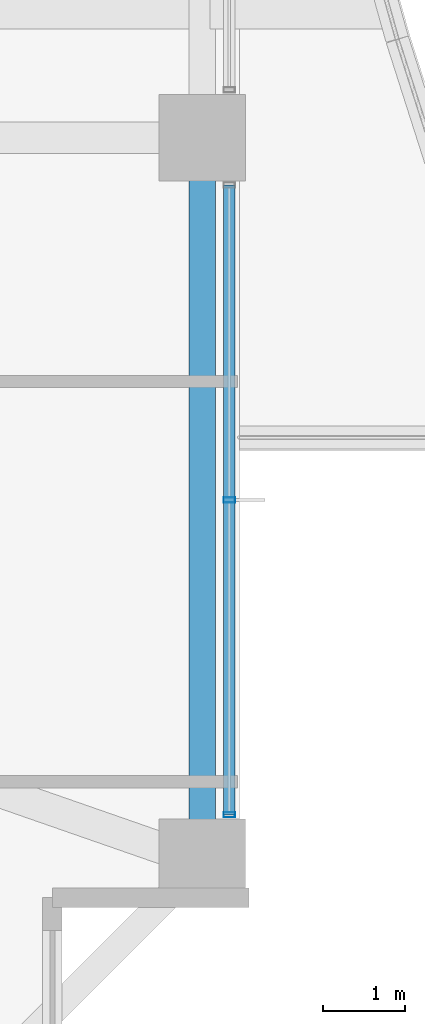
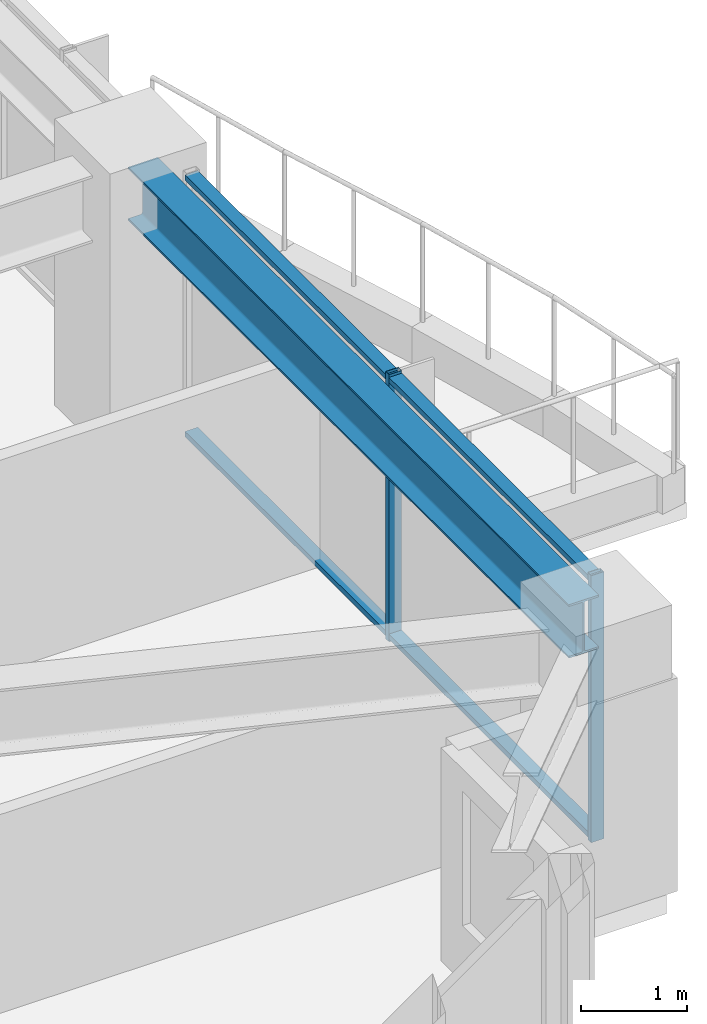
# One storey, part 12 of 38: 4 members, 1 beam, 1 element without a shape of its own.
"""IFC4 building model written with IfcOpenShell, lengths in metres."""

import ifcopenshell
import ifcopenshell.guid

model = None  # the IFC model being written
_history = None  # IfcOwnerHistory: only IFC2X3 demands one
_inside = {}  # id of a spatial element -> (the spatial element, [elements in it])
_under = {}  # id of a project, library or spatial element -> (it, [spatial elements below it])
_declared = {}  # id of a project -> (the project, [libraries it declares])
_typed = {}  # id of a type object -> (the type object, [elements of that type])
_made_of = {}  # id of a material, layer set ... -> (it, [elements and type objects made of it])


def new_model(schema):
    """Start an empty IFC model of exactly this schema.

    Asked for "IFC4X3", IfcOpenShell would pick the latest addendum, in which some entities
    have other attributes; the version numbers below select the first issue.
    IFC2X3 requires an IfcOwnerHistory on every rooted entity: one is made here for all.
    """
    global model, _history
    if schema == "IFC4X3":
        model = ifcopenshell.file(schema_version=(4, 3, 0, 0))
    else:
        model = ifcopenshell.file(schema=schema)
    _inside.clear()
    _under.clear()
    _declared.clear()
    _typed.clear()
    _made_of.clear()
    _history = None
    if model.schema == "IFC2X3":
        org = make("IfcOrganization", Name="unknown")
        user = make(
            "IfcPersonAndOrganization",
            ThePerson=make("IfcPerson", FamilyName="unknown"),
            TheOrganization=org,
        )
        app = make(
            "IfcApplication",
            ApplicationDeveloper=org,
            Version="unknown",
            ApplicationFullName="unknown",
            ApplicationIdentifier="unknown",
        )
        _history = make(
            "IfcOwnerHistory",
            OwningUser=user,
            OwningApplication=app,
            ChangeAction="ADDED",
            CreationDate=0,
        )
    return model


def make(cls, **values):
    """One entity of the class cls with the attributes given. An attribute that is None is left unset."""
    return model.create_entity(
        cls, **{name: value for name, value in values.items() if value is not None}
    )


def rooted(cls, **values):
    """An entity with a GlobalId (a new one), such as an element, a storey or a relation."""
    return make(cls, GlobalId=ifcopenshell.guid.new(), OwnerHistory=_history, **values)


def si_unit(unit_type, name, prefix=None):
    """IfcSIUnit, for example si_unit("LENGTHUNIT", "METRE", prefix="MILLI")."""
    return make("IfcSIUnit", UnitType=unit_type, Prefix=prefix, Name=name)


def assignment(units):
    """IfcUnitAssignment: the units of a project."""
    return None if units is None else make("IfcUnitAssignment", Units=units)


def point(xyz):
    """IfcCartesianPoint."""
    return None if xyz is None else make("IfcCartesianPoint", Coordinates=xyz)


def direction(xyz):
    """IfcDirection."""
    return None if xyz is None else make("IfcDirection", DirectionRatios=xyz)


def frame(location, z_axis=None, x_axis=None):
    """IfcAxis2Placement3D, a coordinate frame: its origin and axes. An axis left out is left unset."""
    return make(
        "IfcAxis2Placement3D",
        Location=point(location),
        Axis=direction(z_axis),
        RefDirection=direction(x_axis),
    )


def frame_2d(location, x_axis=None):
    """IfcAxis2Placement2D, a coordinate frame in the plane: its origin and x axis."""
    return make(
        "IfcAxis2Placement2D", Location=point(location), RefDirection=direction(x_axis)
    )


def origin():
    """The frame at (0, 0, 0) with its axes left unset."""
    return frame((0.0, 0.0, 0.0))


def origin_2d():
    """The frame at (0, 0) in the plane with its x axis left unset."""
    return frame_2d((0.0, 0.0))


def place(relative_to, where):
    """IfcLocalPlacement: puts the frame where relative to a parent placement (None: the world)."""
    return make(
        "IfcLocalPlacement", PlacementRelTo=relative_to, RelativePlacement=where
    )


def context(
    kind, dimensions, precision=None, world=None, true_north=None, identifier=None
):
    """IfcGeometricRepresentationContext, for example the 3D "Model" context."""
    return make(
        "IfcGeometricRepresentationContext",
        ContextIdentifier=identifier,
        ContextType=kind,
        CoordinateSpaceDimension=dimensions,
        Precision=precision,
        WorldCoordinateSystem=world,
        TrueNorth=true_north,
    )


def subcontext(parent, identifier, kind, view, scale=None):
    """IfcGeometricRepresentationSubContext, for example "Body" below "Model"."""
    return make(
        "IfcGeometricRepresentationSubContext",
        ContextIdentifier=identifier,
        ContextType=kind,
        ParentContext=parent,
        TargetScale=scale,
        TargetView=view,
    )


def project(units=None, contexts=None):
    """IfcProject with its units and contexts."""
    return rooted(
        "IfcProject",
        Name="project",
        RepresentationContexts=contexts,
        UnitsInContext=assignment(units),
    )


def spatial(cls, under=None, at=None, **own):
    """A site, building, storey or space (cls), placed at a placement, below another one or the project."""
    s = rooted(cls, ObjectPlacement=at, **own)
    if under is not None:
        _under.setdefault(under.id(), (under, []))[1].append(s)
    return s


def profile(cls, at=None, kind="AREA", **sizes):
    """A parametric profile (cls). Its sizes go by their IFC names, for example OverallWidth=200.0."""
    return make(cls, ProfileType=kind, Position=at, **sizes)


def hollow_rectangle(**sizes):
    """IfcRectangleHollowProfileDef."""
    return profile("IfcRectangleHollowProfileDef", **sizes)


def i_section(**sizes):
    """IfcIShapeProfileDef."""
    return profile("IfcIShapeProfileDef", **sizes)


def extrude(swept, where, along, depth):
    """IfcExtrudedAreaSolid: the profile swept, set in the frame where, extruded along a direction by depth."""
    return make(
        "IfcExtrudedAreaSolid",
        SweptArea=swept,
        Position=where,
        ExtrudedDirection=direction(along),
        Depth=depth,
    )


def shape(context_of_items, identifier, shape_type, items):
    """IfcShapeRepresentation: the items that make up one representation, for example the "Body"."""
    return make(
        "IfcShapeRepresentation",
        ContextOfItems=context_of_items,
        RepresentationIdentifier=identifier,
        RepresentationType=shape_type,
        Items=items,
    )


def material(Name=None, Category=None):
    """IfcMaterial."""
    return make("IfcMaterial", Name=Name, Category=Category)


def material_profile(
    of_material, cross_section, Name=None, Category=None, Priority=None
):
    """IfcMaterialProfile: a cross section and its material."""
    return make(
        "IfcMaterialProfile",
        Name=Name,
        Material=of_material,
        Profile=cross_section,
        Priority=Priority,
        Category=Category,
    )


def profile_set(profiles, Name=None, composite=None):
    """IfcMaterialProfileSet."""
    return make(
        "IfcMaterialProfileSet",
        Name=Name,
        MaterialProfiles=profiles,
        CompositeProfile=composite,
    )


def made_of(thing, what):
    """Note that an element or type object is made of a material, layer set ...; save() writes the relation."""
    if what is not None:
        _made_of.setdefault(what.id(), (what, []))[1].append(thing)
    return thing


def type_object(cls, material=None, **own):
    """A type object (cls), such as IfcWallType, which elements share."""
    return made_of(rooted(cls, **own), material)


def element(
    cls,
    number,
    at=None,
    inside=None,
    cuts=None,
    type_object=None,
    material=None,
    context=None,
    identifier="Body",
    shape_type=None,
    held_by="IfcProductDefinitionShape",
    body=None,
    shapes=None,
    **own,
):
    """One element of the class cls, such as IfcWall. Its Tag is "e" and its number.

    at: its placement. inside: the storey or other place that contains it. cuts: it is an
    opening in that element (IfcRelVoidsElement). A single representation is given by context,
    identifier, shape_type and body (its items); several are given by shapes. held_by: the class
    of the entity that holds the representations. save() writes the other relations.
    """
    e = rooted(cls, Tag="e%d" % number, ObjectPlacement=at, **own)
    if body is not None:
        shapes = [shape(context, identifier, shape_type, body)]
    if shapes is not None:
        e.Representation = make(held_by, Representations=shapes)
    if inside is not None:
        _inside.setdefault(inside.id(), (inside, []))[1].append(e)
    if cuts is not None:
        rooted(
            "IfcRelVoidsElement", RelatingBuildingElement=cuts, RelatedOpeningElement=e
        )
    if type_object is not None:
        _typed.setdefault(type_object.id(), (type_object, []))[1].append(e)
    return made_of(e, material)


def aggregate(whole, parts):
    """IfcRelAggregates: a whole, such as a stair, and the parts it consists of."""
    return rooted("IfcRelAggregates", RelatingObject=whole, RelatedObjects=parts)


def save(model, path):
    """Write the relations noted so far, then the file.

    IfcRelAggregates (storeys below a building ...), IfcRelContainedInSpatialStructure (elements
    in a storey), IfcRelDefinesByType, IfcRelAssociatesMaterial and IfcRelDeclares: one each for
    every whole, place, type object, material and project.
    """
    for whole, parts in _under.values():
        aggregate(whole, parts)
    for where, things in _inside.values():
        rooted(
            "IfcRelContainedInSpatialStructure",
            RelatedElements=things,
            RelatingStructure=where,
        )
    for kind, things in _typed.values():
        rooted("IfcRelDefinesByType", RelatedObjects=things, RelatingType=kind)
    for what, things in _made_of.values():
        rooted("IfcRelAssociatesMaterial", RelatedObjects=things, RelatingMaterial=what)
    for by, libraries in _declared.values():
        rooted("IfcRelDeclares", RelatingContext=by, RelatedDefinitions=libraries)
    model.write(path)


model = new_model("IFC4")

# Units and contexts
model_context = context("Model", 3, precision=1e-05, world=origin(), true_north=direction((0.0, 1.0)))
body_context = subcontext(model_context, "Body", "Model", "MODEL_VIEW")
ifc_project = project(units=[si_unit("LENGTHUNIT", "METRE"), si_unit("AREAUNIT", "SQUARE_METRE"), si_unit("VOLUMEUNIT", "CUBIC_METRE"), si_unit("PLANEANGLEUNIT", "RADIAN"), si_unit("MASSUNIT", "GRAM", prefix="KILO")], contexts=[model_context])

# Site, building, storey
site_placement = place(None, origin())
site = spatial("IfcSite", under=ifc_project, at=site_placement, CompositionType="ELEMENT")
building_placement = place(site_placement, origin())
building = spatial("IfcBuilding", under=site, at=building_placement, Name="Kolvaren Belvedere", CompositionType="ELEMENT")
storey_placement = place(building_placement, frame((0.0, 0.0, 101.89990234375)))
storey = spatial("IfcBuildingStorey", under=building, at=storey_placement, Name="L29", CompositionType="ELEMENT", Elevation=101.89990234375)

# Beam
ifc_material_1 = material(Name="Structural steel ASTM A992 Grade 50", Category="steel")
ifc_material_profile_1 = material_profile(ifc_material_1, i_section(OverallWidth=0.324951171875, OverallDepth=0.615966796875, WebThickness=0.013916015625, FlangeThickness=0.021484375, FilletRadius=0.02001953125, at=origin_2d()), Name="W24X117")
ifc_profile_set_1 = profile_set([ifc_material_profile_1], Name="Structural steel ASTM A992 Grade 50")
beam_type = type_object("IfcBeamType", Name="BM-SPAN-W24X117", PredefinedType="SPANDREL", material=ifc_profile_set_1)
beam_placement = place(storey_placement, frame((19.949951171875, -13.163818359375, 2.772216796875), z_axis=(0.0, 1.0, 0.0), x_axis=(-1.0, 0.0, 0.0)))
element("IfcBeam", 1, at=beam_placement, inside=storey, type_object=beam_type, Name="L29 Perimeter Spandrel E1-E2", PredefinedType="SPANDREL", context=body_context, shape_type="SweptSolid", body=[
    extrude(i_section(OverallWidth=0.324951171875, OverallDepth=0.615966796875, WebThickness=0.013916015625, FlangeThickness=0.021484375, FilletRadius=0.02001953125, at=origin_2d()), origin(), (0.0, 0.0, 1.0), 8.32763671875),
])

# Curtain wall, members
ifc_material_2 = material(Name="Anodised pale-metal aluminium AA 6063-T6", Category="aluminium")
curtain_wall_type = type_object("IfcCurtainWallType", Name="CW-Z2-MID", PredefinedType="NOTDEFINED", material=ifc_material_2)
curtain_wall_placement = place(storey_placement, origin())
curtain_wall = element("IfcCurtainWall", 2, at=curtain_wall_placement, inside=storey, type_object=curtain_wall_type, Name="L29 Unitised Curtain Wall FCW-L29-E2-B2", PredefinedType="NOTDEFINED")
ifc_material_3 = material(Name="Anodised pale-metal aluminium AA 6063-T6", Category="aluminium")
ifc_material_profile_2 = material_profile(ifc_material_3, hollow_rectangle(XDim=0.06494140625, YDim=0.139892578125, WallThickness=0.00390625, at=origin_2d()), Name="ALU-MUL-140X65")
ifc_profile_set_2 = profile_set([ifc_material_profile_2], Name="Anodised pale-metal aluminium AA 6063-T6")
member_type_1 = type_object("IfcMemberType", Name="CW-MUL-140", PredefinedType="MULLION", material=ifc_profile_set_2)
member_1_placement = place(storey_placement, frame((20.280029296875, -9.0, 0.0), z_axis=(0.0, 0.0, 1.0), x_axis=(0.0, 1.0, 0.0)))
member_1 = element("IfcMember", 3, at=member_1_placement, type_object=member_type_1, Name="FCW-L29-E2-B2 Unitised Mullion 2", PredefinedType="MULLION", context=body_context, shape_type="SweptSolid", body=[
    extrude(hollow_rectangle(XDim=0.06494140625, YDim=0.139892578125, WallThickness=0.00390625, at=origin_2d()), origin(), (0.0, 0.0, 1.0), 3.080078125),
])
member_2_placement = place(storey_placement, frame((20.280029296875, -12.822509765625, 0.0), z_axis=(0.0, 0.0, 1.0), x_axis=(0.0, 1.0, 0.0)))
member_2 = element("IfcMember", 4, at=member_2_placement, type_object=member_type_1, Name="FCW-L29-E2-B2 Unitised Mullion 3", PredefinedType="MULLION", context=body_context, shape_type="SweptSolid", body=[
    extrude(hollow_rectangle(XDim=0.06494140625, YDim=0.139892578125, WallThickness=0.00390625, at=origin_2d()), origin(), (0.0, 0.0, 1.0), 3.080078125),
])
ifc_material_4 = material(Name="Anodised pale-metal aluminium AA 6063-T6", Category="aluminium")
ifc_material_profile_3 = material_profile(ifc_material_4, hollow_rectangle(XDim=0.06005859375, YDim=0.139892578125, WallThickness=0.00390625, at=origin_2d()), Name="ALU-TRN-140X60")
ifc_profile_set_3 = profile_set([ifc_material_profile_3], Name="Anodised pale-metal aluminium AA 6063-T6")
member_type_2 = type_object("IfcMemberType", Name="CW-TRN-140", PredefinedType="USERDEFINED", material=ifc_profile_set_3)
member_3_placement = place(storey_placement, frame((20.280029296875, -5.177490234375, 0.06005859375), z_axis=(0.0, -1.0, 0.0), x_axis=(0.0, 0.0, 1.0)))
member_3 = element("IfcMember", 5, at=member_3_placement, type_object=member_type_2, Name="FCW-L29-E2-B2 Sill Transom", ObjectType="TRANSOM", PredefinedType="USERDEFINED", context=body_context, shape_type="SweptSolid", body=[
    extrude(hollow_rectangle(XDim=0.06005859375, YDim=0.139892578125, WallThickness=0.00390625, at=origin_2d()), origin(), (0.0, 0.0, 1.0), 7.64501953125),
])
member_4_placement = place(storey_placement, frame((20.280029296875, -5.177490234375, 3.02001953125), z_axis=(0.0, -1.0, 0.0), x_axis=(0.0, 0.0, 1.0)))
member_4 = element("IfcMember", 6, at=member_4_placement, type_object=member_type_2, Name="FCW-L29-E2-B2 Head Transom", ObjectType="TRANSOM", PredefinedType="USERDEFINED", context=body_context, shape_type="SweptSolid", body=[
    extrude(hollow_rectangle(XDim=0.06005859375, YDim=0.139892578125, WallThickness=0.00390625, at=origin_2d()), origin(), (0.0, 0.0, 1.0), 7.64501953125),
])
aggregate(curtain_wall, [member_1, member_2, member_3, member_4])

save(model, "model.ifc")
